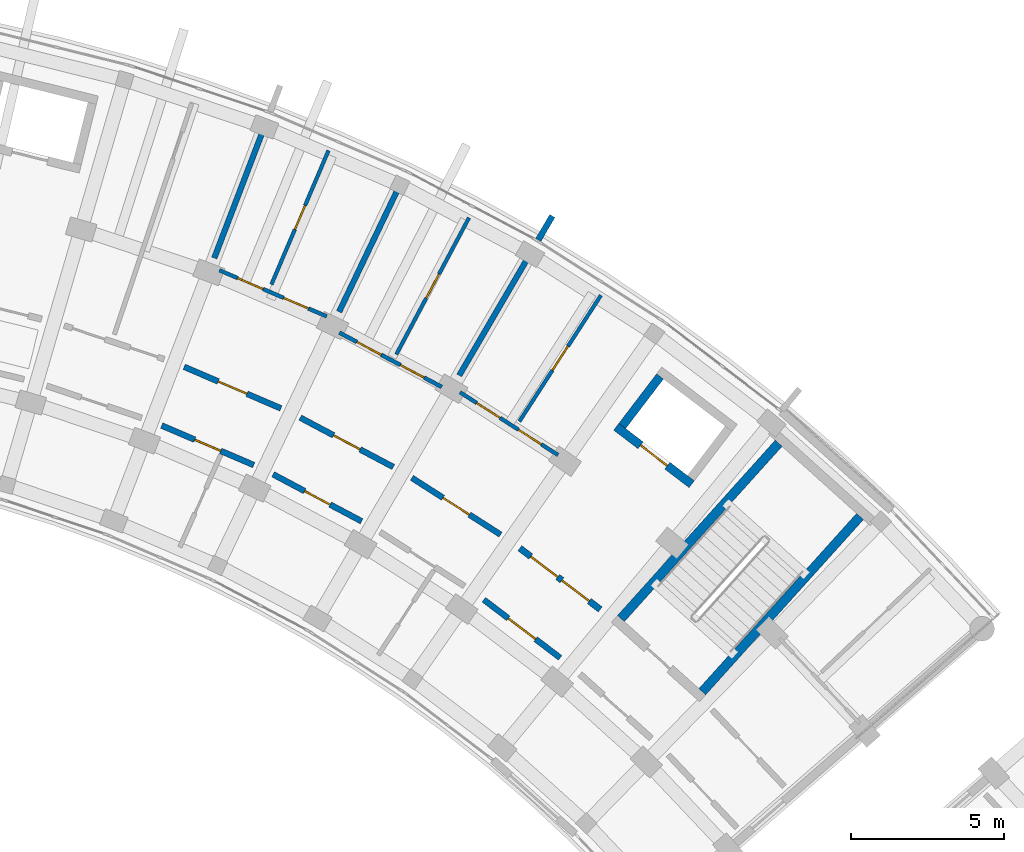
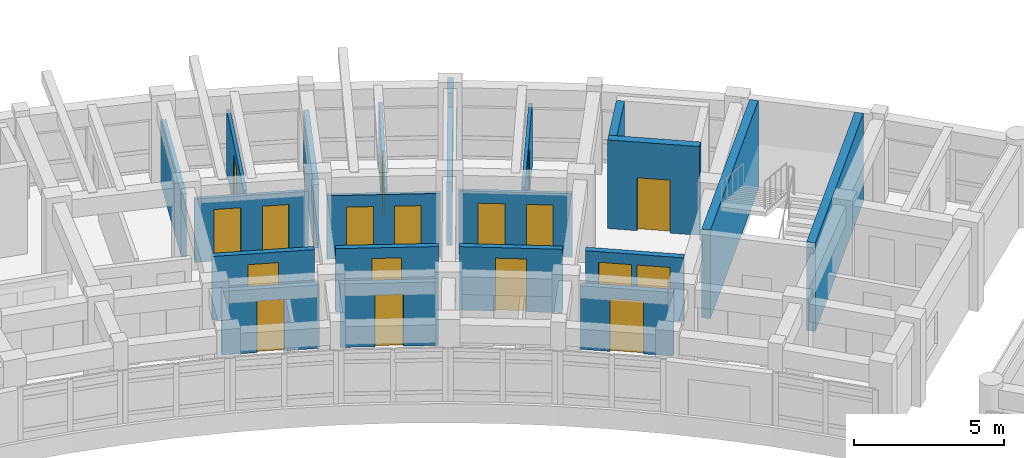
# One storey, part 64 of 83: 21 walls, 18 doors, 18 openings.
"""IFC4 building model written with IfcOpenShell, lengths in metres."""

from ifc_helpers import new_model, si_unit, direction, frame, frame_2d, origin, place, context, subcontext, project, spatial, rectangle, extrude, material, layer, layer_set, type_object, element, fill, save


model = new_model("IFC4")

# Units and contexts
model_context = context("Model", 3, precision=1e-05, world=origin(), true_north=direction((0.0, 1.0)))
body_context = subcontext(model_context, "Body", "Model", "MODEL_VIEW")
ifc_project = project(units=[si_unit("LENGTHUNIT", "METRE"), si_unit("AREAUNIT", "SQUARE_METRE"), si_unit("VOLUMEUNIT", "CUBIC_METRE"), si_unit("PLANEANGLEUNIT", "RADIAN"), si_unit("MASSUNIT", "GRAM", prefix="KILO")], contexts=[model_context])

# Site, building, storey
site_placement = place(None, origin())
site = spatial("IfcSite", under=ifc_project, at=site_placement, CompositionType="ELEMENT")
building_placement = place(site_placement, origin())
building = spatial("IfcBuilding", under=site, at=building_placement, Name="Zimvara Arc Housing Community", CompositionType="ELEMENT")
storey_placement = place(building_placement, frame((0.0, 0.0, 4.5)))
storey = spatial("IfcBuildingStorey", under=building, at=storey_placement, Name="L01", CompositionType="ELEMENT", Elevation=4.5)

# Wall
ifc_material_1 = material(Name="Board-Marked Fair-Faced Concrete C35/45", Category="concrete")
ifc_layer_1 = layer(ifc_material_1, 0.195068359375)
ifc_layer_set_1 = layer_set([ifc_layer_1], Name="Board-Marked Fair-Faced Concrete C35/45")
wall_type_1 = type_object("IfcWallType", Name="EWL-PARA-195", PredefinedType="PARAPET", material=ifc_layer_set_1)
wall_1_placement = place(storey_placement, frame((74.961181640625, 95.8134765625, 0.0), z_axis=(0.0, 0.0, 1.0), x_axis=(0.504326383773, 0.863513114336, 0.0)))
element("IfcWall", 1, at=wall_1_placement, inside=storey, type_object=wall_type_1, Name="finwall:blkB:L01:out:b6", PredefinedType="PARAPET", context=body_context, shape_type="SweptSolid", body=[
    extrude(rectangle(XDim=0.89990234375, YDim=0.195068359375, at=frame_2d((0.449951171875, 0.0))), origin(), (0.0, 0.0, 1.0), 2.60009765625),
])

# Wall, openings, doors
ifc_material_2 = material(Name="Concrete C35/45", Category="concrete")
ifc_layer_2 = layer(ifc_material_2, 0.2099609375)
ifc_layer_set_2 = layer_set([ifc_layer_2], Name="Concrete C35/45")
wall_type_2 = type_object("IfcWallType", Name="IWL-CCF-210", PredefinedType="SOLIDWALL", material=ifc_layer_set_2)
wall_2_placement = place(storey_placement, frame((74.356689453125, 85.755859375, 0.0), z_axis=(0.0, 0.0, 1.0), x_axis=(0.795498026433, -0.605956178235, 0.0)))
wall_2 = element("IfcWall", 2, at=wall_2_placement, inside=storey, type_object=wall_type_2, Name="iwall:blkB:L01:ll_div:b7", PredefinedType="SOLIDWALL", context=body_context, shape_type="SweptSolid", body=[
    extrude(rectangle(XDim=3.296142578125, YDim=0.2099609375, at=frame_2d((1.64794921875, 0.0))), origin(), (0.0, 0.0, 1.0), 2.580078125),
])
opening_1_placement = place(wall_2_placement, frame((0.449951171875, 0.0, 0.0)))
opening_1 = element("IfcOpeningElement", 3, at=opening_1_placement, cuts=wall_2, Name="Opening FD-CCF1", PredefinedType="OPENING", context=body_context, shape_type="SweptSolid", body=[
    extrude(rectangle(XDim=1.10009765625, YDim=2.14990234375, at=frame_2d((0.550048828125, 1.074951171875))), frame((0.0, 0.114990234375, 0.0), z_axis=(0.0, -1.0, 0.0), x_axis=(1.0, 0.0, 0.0)), (0.0, 0.0, 1.0), 0.22998046875),
])
opening_2_placement = place(wall_2_placement, frame((1.72607421875, 0.0, 0.0)))
opening_2 = element("IfcOpeningElement", 4, at=opening_2_placement, cuts=wall_2, Name="Opening D07", PredefinedType="OPENING", context=body_context, shape_type="SweptSolid", body=[
    extrude(rectangle(XDim=1.1201171875, YDim=2.14990234375, at=frame_2d((0.56005859375, 1.074951171875))), frame((0.0, 0.114990234375, 0.0), z_axis=(0.0, -1.0, 0.0), x_axis=(1.0, 0.0, 0.0)), (0.0, 0.0, 1.0), 0.22998046875),
])
ifc_material_3 = material(Name="Mozambican Hardwood", Category="wood")
door_type_1 = type_object("IfcDoorType", Name="IDR-AMN-1120x2150", OperationType="NOTDEFINED", PredefinedType="DOOR", material=ifc_material_3)
door_1_placement = place(opening_2_placement, origin())
door_1 = element("IfcDoor", 5, at=door_1_placement, inside=storey, type_object=door_type_1, Name="idoor:blkB:L01:rs_in:b7", OperationType="SINGLE_SWING_LEFT", OverallHeight=2.14990234375, OverallWidth=1.1201171875, PredefinedType="DOOR", context=body_context, shape_type="SweptSolid", body=[
    extrude(rectangle(XDim=1.1201171875, YDim=2.14990234375, at=frame_2d((0.56005859375, 1.074951171875))), frame((0.0, 0.02490234375, 0.0), z_axis=(0.0, -1.0, 0.0), x_axis=(1.0, 0.0, 0.0)), (0.0, 0.0, 1.0), 0.050048828125),
])
fill(opening_2, door_1)
ifc_material_4 = material(Name="Anodised Aluminium AW-6063", Category="aluminium")
door_type_2 = type_object("IfcDoorType", Name="IDR-CCF-1100x2150", OperationType="NOTDEFINED", PredefinedType="DOOR", material=ifc_material_4)
door_2_placement = place(opening_1_placement, origin())
door_2 = element("IfcDoor", 6, at=door_2_placement, inside=storey, type_object=door_type_2, Name="idoor:blkB:L01:ll_in:b7", OperationType="SINGLE_SWING_RIGHT", OverallHeight=2.14990234375, OverallWidth=1.10009765625, PredefinedType="DOOR", context=body_context, shape_type="SweptSolid", body=[
    extrude(rectangle(XDim=1.10009765625, YDim=2.14990234375, at=frame_2d((0.550048828125, 1.074951171875))), frame((0.0, 0.02490234375, 0.0), z_axis=(0.0, -1.0, 0.0), x_axis=(1.0, 0.0, 0.0)), (0.0, 0.0, 1.0), 0.050048828125),
])
fill(opening_1, door_2)

# Wall, opening, door
ifc_material_5 = material(Name="Concrete C35/45", Category="concrete")
ifc_layer_3 = layer(ifc_material_5, 0.18994140625)
ifc_layer_set_3 = layer_set([ifc_layer_3], Name="Concrete C35/45")
wall_type_3 = type_object("IfcWallType", Name="IWL-CORR-190", PredefinedType="SOLIDWALL", material=ifc_layer_set_3)
wall_3_placement = place(storey_placement, frame((63.40673828125, 91.6728515625, 0.0), z_axis=(0.0, 0.0, 1.0), x_axis=(0.918718172399, -0.394913813008, 0.0)))
wall_3 = element("IfcWall", 7, at=wall_3_placement, inside=storey, type_object=wall_type_3, Name="iwall:blkB:L01:corr_out:b4", PredefinedType="SOLIDWALL", context=body_context, shape_type="SweptSolid", body=[
    extrude(rectangle(XDim=3.43603515625, YDim=0.18994140625, at=frame_2d((1.718017578125, 0.0))), origin(), (0.0, 0.0, 1.0), 2.580078125),
])
opening_3_placement = place(wall_3_placement, frame((1.2080078125, 0.0, 0.0)))
opening_3 = element("IfcOpeningElement", 8, at=opening_3_placement, cuts=wall_3, Name="Opening FD-FL2", PredefinedType="OPENING", context=body_context, shape_type="SweptSolid", body=[
    extrude(rectangle(XDim=1.02001953125, YDim=2.14990234375, at=frame_2d((0.510009765625, 1.074951171875))), frame((0.0, 0.10498046875, 0.0), z_axis=(0.0, -1.0, 0.0), x_axis=(1.0, 0.0, 0.0)), (0.0, 0.0, 1.0), 0.2099609375),
])
ifc_material_6 = material(Name="Mozambican Hardwood", Category="wood")
door_type_3 = type_object("IfcDoorType", Name="IDR-FLAT-1020x2150", OperationType="NOTDEFINED", PredefinedType="DOOR", material=ifc_material_6)
door_3_placement = place(opening_3_placement, origin())
door_3 = element("IfcDoor", 9, at=door_3_placement, inside=storey, type_object=door_type_3, Name="idoor:blkB:L01:flat:b4", OperationType="SINGLE_SWING_LEFT", OverallHeight=2.14990234375, OverallWidth=1.02001953125, PredefinedType="DOOR", context=body_context, shape_type="SweptSolid", body=[
    extrude(rectangle(XDim=1.02001953125, YDim=2.14990234375, at=frame_2d((0.510009765625, 1.074951171875))), frame((0.0, 0.02490234375, 0.0), z_axis=(0.0, -1.0, 0.0), x_axis=(1.0, 0.0, 0.0)), (0.0, 0.0, 1.0), 0.050048828125),
])
fill(opening_3, door_3)

wall_4_placement = place(storey_placement, frame((62.6748046875, 89.758056640625, 0.0), z_axis=(0.0, 0.0, 1.0), x_axis=(0.918723391052, -0.394901672235, 0.0)))
wall_4 = element("IfcWall", 10, at=wall_4_placement, inside=storey, type_object=wall_type_3, Name="iwall:blkB:L01:corr_in:b4", PredefinedType="SOLIDWALL", context=body_context, shape_type="SweptSolid", body=[
    extrude(rectangle(XDim=3.2685546875, YDim=0.18994140625, at=frame_2d((1.63427734375, 0.0))), origin(), (0.0, 0.0, 1.0), 2.580078125),
])
opening_4_placement = place(wall_4_placement, frame((1.17431640625, 0.0, 0.0)))
opening_4 = element("IfcOpeningElement", 11, at=opening_4_placement, cuts=wall_4, Name="Opening D02", PredefinedType="OPENING", context=body_context, shape_type="SweptSolid", body=[
    extrude(rectangle(XDim=0.919921875, YDim=2.10009765625, at=frame_2d((0.4599609375, 1.050048828125))), frame((0.0, 0.10498046875, 0.0), z_axis=(0.0, -1.0, 0.0), x_axis=(1.0, 0.0, 0.0)), (0.0, 0.0, 1.0), 0.2099609375),
])
ifc_material_7 = material(Name="Mozambican Hardwood", Category="wood")
door_type_4 = type_object("IfcDoorType", Name="IDR-RM-0920x2100", OperationType="NOTDEFINED", PredefinedType="DOOR", material=ifc_material_7)
door_4_placement = place(opening_4_placement, origin())
door_4 = element("IfcDoor", 12, at=door_4_placement, inside=storey, type_object=door_type_4, Name="idoor:blkB:L01:in_rm:b4", OperationType="SINGLE_SWING_RIGHT", OverallHeight=2.10009765625, OverallWidth=0.919921875, PredefinedType="DOOR", context=body_context, shape_type="SweptSolid", body=[
    extrude(rectangle(XDim=0.919921875, YDim=2.10009765625, at=frame_2d((0.4599609375, 1.050048828125))), frame((0.0, 0.02490234375, 0.0), z_axis=(0.0, -1.0, 0.0), x_axis=(1.0, 0.0, 0.0)), (0.0, 0.0, 1.0), 0.050048828125),
])
fill(opening_4, door_4)

wall_5_placement = place(storey_placement, frame((67.1943359375, 90.013916015625, 0.0), z_axis=(0.0, 0.0, 1.0), x_axis=(0.883410853063, -0.468599258099, 0.0)))
wall_5 = element("IfcWall", 13, at=wall_5_placement, inside=storey, type_object=wall_type_3, Name="iwall:blkB:L01:corr_out:b5", PredefinedType="SOLIDWALL", context=body_context, shape_type="SweptSolid", body=[
    extrude(rectangle(XDim=3.43603515625, YDim=0.18994140625, at=frame_2d((1.718017578125, 0.0))), origin(), (0.0, 0.0, 1.0), 2.580078125),
])
opening_5_placement = place(wall_5_placement, frame((1.22802734375, 0.0, 0.0)))
opening_5 = element("IfcOpeningElement", 14, at=opening_5_placement, cuts=wall_5, Name="Opening FD-FL1", PredefinedType="OPENING", context=body_context, shape_type="SweptSolid", body=[
    extrude(rectangle(XDim=0.97998046875, YDim=2.14990234375, at=frame_2d((0.489990234375, 1.074951171875))), frame((0.0, 0.10498046875, 0.0), z_axis=(0.0, -1.0, 0.0), x_axis=(1.0, 0.0, 0.0)), (0.0, 0.0, 1.0), 0.2099609375),
])
ifc_material_8 = material(Name="Mozambican Hardwood", Category="wood")
door_type_5 = type_object("IfcDoorType", Name="IDR-FLAT-0980x2150", OperationType="NOTDEFINED", PredefinedType="DOOR", material=ifc_material_8)
door_5_placement = place(opening_5_placement, origin())
door_5 = element("IfcDoor", 15, at=door_5_placement, inside=storey, type_object=door_type_5, Name="idoor:blkB:L01:flat:b5", OperationType="SINGLE_SWING_LEFT", OverallHeight=2.14990234375, OverallWidth=0.97998046875, PredefinedType="DOOR", context=body_context, shape_type="SweptSolid", body=[
    extrude(rectangle(XDim=0.97998046875, YDim=2.14990234375, at=frame_2d((0.489990234375, 1.074951171875))), frame((0.0, 0.02490234375, 0.0), z_axis=(0.0, -1.0, 0.0), x_axis=(1.0, 0.0, 0.0)), (0.0, 0.0, 1.0), 0.050048828125),
])
fill(opening_5, door_5)

wall_6_placement = place(storey_placement, frame((66.30859375, 88.1650390625, 0.0), z_axis=(0.0, 0.0, 1.0), x_axis=(0.883444301944, -0.468536194293, 0.0)))
wall_6 = element("IfcWall", 16, at=wall_6_placement, inside=storey, type_object=wall_type_3, Name="iwall:blkB:L01:corr_in:b5", PredefinedType="SOLIDWALL", context=body_context, shape_type="SweptSolid", body=[
    extrude(rectangle(XDim=3.268798828125, YDim=0.18994140625, at=frame_2d((1.63427734375, 0.0))), origin(), (0.0, 0.0, 1.0), 2.580078125),
])
opening_6_placement = place(wall_6_placement, frame((1.164306640625, 0.0, 0.0)))
opening_6 = element("IfcOpeningElement", 17, at=opening_6_placement, cuts=wall_6, Name="Opening D03", PredefinedType="OPENING", context=body_context, shape_type="SweptSolid", body=[
    extrude(rectangle(XDim=0.93994140625, YDim=2.10009765625, at=frame_2d((0.469970703125, 1.050048828125))), frame((0.0, 0.10498046875, 0.0), z_axis=(0.0, -1.0, 0.0), x_axis=(1.0, 0.0, 0.0)), (0.0, 0.0, 1.0), 0.2099609375),
])
ifc_material_9 = material(Name="Mozambican Hardwood", Category="wood")
door_type_6 = type_object("IfcDoorType", Name="IDR-RM-0940x2100", OperationType="NOTDEFINED", PredefinedType="DOOR", material=ifc_material_9)
door_6_placement = place(opening_6_placement, origin())
door_6 = element("IfcDoor", 18, at=door_6_placement, inside=storey, type_object=door_type_6, Name="idoor:blkB:L01:in_rm:b5", OperationType="SINGLE_SWING_RIGHT", OverallHeight=2.10009765625, OverallWidth=0.93994140625, PredefinedType="DOOR", context=body_context, shape_type="SweptSolid", body=[
    extrude(rectangle(XDim=0.93994140625, YDim=2.10009765625, at=frame_2d((0.469970703125, 1.050048828125))), frame((0.0, 0.02490234375, 0.0), z_axis=(0.0, -1.0, 0.0), x_axis=(1.0, 0.0, 0.0)), (0.0, 0.0, 1.0), 0.050048828125),
])
fill(opening_6, door_6)

wall_7_placement = place(storey_placement, frame((70.833740234375, 88.05126953125, 0.0), z_axis=(0.0, 0.0, 1.0), x_axis=(0.842257205985, -0.539075874963, 0.0)))
wall_7 = element("IfcWall", 19, at=wall_7_placement, inside=storey, type_object=wall_type_3, Name="iwall:blkB:L01:corr_out:b6", PredefinedType="SOLIDWALL", context=body_context, shape_type="SweptSolid", body=[
    extrude(rectangle(XDim=3.43603515625, YDim=0.18994140625, at=frame_2d((1.718017578125, 0.0))), origin(), (0.0, 0.0, 1.0), 2.580078125),
])
opening_7_placement = place(wall_7_placement, frame((1.2080078125, 0.0, 0.0)))
opening_7 = element("IfcOpeningElement", 20, at=opening_7_placement, cuts=wall_7, Name="Opening FD-FL2", PredefinedType="OPENING", context=body_context, shape_type="SweptSolid", body=[
    extrude(rectangle(XDim=1.02001953125, YDim=2.14990234375, at=frame_2d((0.510009765625, 1.074951171875))), frame((0.0, 0.10498046875, 0.0), z_axis=(0.0, -1.0, 0.0), x_axis=(1.0, 0.0, 0.0)), (0.0, 0.0, 1.0), 0.2099609375),
])
door_7_placement = place(opening_7_placement, origin())
door_7 = element("IfcDoor", 21, at=door_7_placement, inside=storey, type_object=door_type_3, Name="idoor:blkB:L01:flat:b6", OperationType="SINGLE_SWING_RIGHT", OverallHeight=2.14990234375, OverallWidth=1.02001953125, PredefinedType="DOOR", context=body_context, shape_type="SweptSolid", body=[
    extrude(rectangle(XDim=1.02001953125, YDim=2.14990234375, at=frame_2d((0.510009765625, 1.074951171875))), frame((0.0, 0.02490234375, 0.0), z_axis=(0.0, -1.0, 0.0), x_axis=(1.0, 0.0, 0.0)), (0.0, 0.0, 1.0), 0.050048828125),
])
fill(opening_7, door_7)

wall_8_placement = place(storey_placement, frame((73.18212890625, 84.07568359375, 0.0), z_axis=(0.0, 0.0, 1.0), x_axis=(0.795501577908, -0.605951515838, 0.0)))
wall_8 = element("IfcWall", 22, at=wall_8_placement, inside=storey, type_object=wall_type_3, Name="iwall:blkB:L01:ra_div:b7", PredefinedType="SOLIDWALL", context=body_context, shape_type="SweptSolid", body=[
    extrude(rectangle(XDim=3.128662109375, YDim=0.18994140625, at=frame_2d((1.564453125, 0.0))), origin(), (0.0, 0.0, 1.0), 2.580078125),
])
opening_8_placement = place(wall_8_placement, frame((1.00439453125, 0.0, 0.0)))
opening_8 = element("IfcOpeningElement", 23, at=opening_8_placement, cuts=wall_8, Name="Opening D07", PredefinedType="OPENING", context=body_context, shape_type="SweptSolid", body=[
    extrude(rectangle(XDim=1.1201171875, YDim=2.14990234375, at=frame_2d((0.56005859375, 1.074951171875))), frame((0.0, 0.10498046875, 0.0), z_axis=(0.0, -1.0, 0.0), x_axis=(1.0, 0.0, 0.0)), (0.0, 0.0, 1.0), 0.2099609375),
])
door_8_placement = place(opening_8_placement, origin())
door_8 = element("IfcDoor", 24, at=door_8_placement, inside=storey, type_object=door_type_1, Name="idoor:blkB:L01:ra_d:b7", OperationType="SINGLE_SWING_RIGHT", OverallHeight=2.14990234375, OverallWidth=1.1201171875, PredefinedType="DOOR", context=body_context, shape_type="SweptSolid", body=[
    extrude(rectangle(XDim=1.1201171875, YDim=2.14990234375, at=frame_2d((0.56005859375, 1.074951171875))), frame((0.0, 0.02490234375, 0.0), z_axis=(0.0, -1.0, 0.0), x_axis=(1.0, 0.0, 0.0)), (0.0, 0.0, 1.0), 0.050048828125),
])
fill(opening_8, door_8)

# Walls
ifc_material_10 = material(Name="Concrete C35/45", Category="concrete")
ifc_layer_4 = layer(ifc_material_10, 0.18505859375)
ifc_layer_set_4 = layer_set([ifc_layer_4], Name="Concrete C35/45")
wall_type_4 = type_object("IfcWallType", Name="IWL-FLAT-185", PredefinedType="SOLIDWALL", material=ifc_layer_set_4)
for number, where, z_axis, x_axis, name in (
    (25, (64.388671875, 95.220458984375, 0.0), (0.0, 0.0, 1.0), (0.357064016205, 0.934079915388, 0.0), "iwall:blkB:L01:party:b4"),
    (26, (68.462158203125, 93.469482421875, 0.0), (0.0, 0.0, 1.0), (0.432086898897, 0.901831975371, 0.0), "iwall:blkB:L01:party:b5"),
    (27, (72.37939453125, 91.391845703125, 0.0), (0.0, 0.0, 1.0), (0.504216452091, 0.863577309475, 0.0), "iwall:blkB:L01:party:b6"),
):
    element("IfcWall", number, at=place(storey_placement, frame(where, z_axis=z_axis, x_axis=x_axis)), inside=storey, type_object=wall_type_4, Name=name, PredefinedType="SOLIDWALL", context=body_context, shape_type="SweptSolid", body=[
        extrude(rectangle(XDim=4.35009765625, YDim=0.18505859375, at=frame_2d((2.175048828125, 0.0))), origin(), (0.0, 0.0, 1.0), 2.580078125),
    ])

# Wall, opening, door
ifc_material_11 = material(Name="Painted Acoustic Plasterboard")
ifc_layer_5 = layer(ifc_material_11, 0.1201171875)
ifc_layer_set_5 = layer_set([ifc_layer_5], Name="Painted Acoustic Plasterboard")
wall_type_5 = type_object("IfcWallType", Name="IWL-PART-120", PredefinedType="PARTITIONING", material=ifc_layer_set_5)
wall_9_placement = place(storey_placement, frame((66.25341796875, 94.359130859375, 0.0), z_axis=(0.0, 0.0, 1.0), x_axis=(0.392156908456, 0.919898341748, 0.0)))
wall_9 = element("IfcWall", 28, at=wall_9_placement, inside=storey, type_object=wall_type_5, Name="iwall:blkB:L01:bed_div:b4", PredefinedType="PARTITIONING", context=body_context, shape_type="SweptSolid", body=[
    extrude(rectangle(XDim=4.75, YDim=0.1201171875, at=frame_2d((2.375, 0.0))), origin(), (0.0, 0.0, 1.0), 2.580078125),
])
opening_9_placement = place(wall_9_placement, frame((1.949951171875, 0.0, 0.0)))
opening_9 = element("IfcOpeningElement", 29, at=opening_9_placement, cuts=wall_9, Name="Opening D11", PredefinedType="OPENING", context=body_context, shape_type="SweptSolid", body=[
    extrude(rectangle(XDim=0.85009765625, YDim=2.10009765625, at=frame_2d((0.425048828125, 1.050048828125))), frame((0.0, 0.070068359375, 0.0), z_axis=(0.0, -1.0, 0.0), x_axis=(1.0, 0.0, 0.0)), (0.0, 0.0, 1.0), 0.14013671875),
])
ifc_material_12 = material(Name="Mozambican Hardwood", Category="wood")
door_type_7 = type_object("IfcDoorType", Name="IDR-MOD-850x2060", OperationType="NOTDEFINED", PredefinedType="DOOR", material=ifc_material_12)
door_9_placement = place(opening_9_placement, origin())
door_9 = element("IfcDoor", 30, at=door_9_placement, inside=storey, type_object=door_type_7, Name="idoor:blkB:L01:bed_d:b4", OperationType="SINGLE_SWING_RIGHT", OverallHeight=2.10009765625, OverallWidth=0.85009765625, PredefinedType="DOOR", context=body_context, shape_type="SweptSolid", body=[
    extrude(rectangle(XDim=0.85009765625, YDim=2.10009765625, at=frame_2d((0.425048828125, 1.050048828125))), frame((0.0, 0.02490234375, 0.0), z_axis=(0.0, -1.0, 0.0), x_axis=(1.0, 0.0, 0.0)), (0.0, 0.0, 1.0), 0.050048828125),
])
fill(opening_9, door_9)

wall_10_placement = place(storey_placement, frame((70.326416015625, 92.0791015625, 0.0), z_axis=(0.0, 0.0, 1.0), x_axis=(0.469847866249, 0.882747405876, 0.0)))
wall_10 = element("IfcWall", 31, at=wall_10_placement, inside=storey, type_object=wall_type_5, Name="iwall:blkB:L01:bed_div:b5", PredefinedType="PARTITIONING", context=body_context, shape_type="SweptSolid", body=[
    extrude(rectangle(XDim=5.050048828125, YDim=0.1201171875, at=frame_2d((2.52490234375, 0.0))), origin(), (0.0, 0.0, 1.0), 2.580078125),
])
opening_10_placement = place(wall_10_placement, frame((2.080078125, 0.0, 0.0)))
opening_10 = element("IfcOpeningElement", 32, at=opening_10_placement, cuts=wall_10, Name="Opening D12", PredefinedType="OPENING", context=body_context, shape_type="SweptSolid", body=[
    extrude(rectangle(XDim=0.889892578125, YDim=2.10009765625, at=frame_2d((0.44482421875, 1.050048828125))), frame((0.0, 0.070068359375, 0.0), z_axis=(0.0, -1.0, 0.0), x_axis=(1.0, 0.0, 0.0)), (0.0, 0.0, 1.0), 0.14013671875),
])
ifc_material_13 = material(Name="Mozambican Hardwood", Category="wood")
door_type_8 = type_object("IfcDoorType", Name="IDR-MOD-890x2140", OperationType="NOTDEFINED", PredefinedType="DOOR", material=ifc_material_13)
door_10_placement = place(opening_10_placement, origin())
door_10 = element("IfcDoor", 33, at=door_10_placement, inside=storey, type_object=door_type_8, Name="idoor:blkB:L01:bed_d:b5", OperationType="SINGLE_SWING_LEFT", OverallHeight=2.10009765625, OverallWidth=0.889892578125, PredefinedType="DOOR", context=body_context, shape_type="SweptSolid", body=[
    extrude(rectangle(XDim=0.889892578125, YDim=2.10009765625, at=frame_2d((0.44482421875, 1.050048828125))), frame((0.0, 0.02490234375, 0.0), z_axis=(0.0, -1.0, 0.0), x_axis=(1.0, 0.0, 0.0)), (0.0, 0.0, 1.0), 0.050048828125),
])
fill(opening_10, door_10)

wall_11_placement = place(storey_placement, frame((74.342041015625, 89.89208984375, 0.0), z_axis=(0.0, 0.0, 1.0), x_axis=(0.542871109654, 0.839816026462, 0.0)))
wall_11 = element("IfcWall", 34, at=wall_11_placement, inside=storey, type_object=wall_type_5, Name="iwall:blkB:L01:bed_div:b6", PredefinedType="PARTITIONING", context=body_context, shape_type="SweptSolid", body=[
    extrude(rectangle(XDim=4.900146484375, YDim=0.1201171875, at=frame_2d((2.4501953125, 0.0))), origin(), (0.0, 0.0, 1.0), 2.580078125),
])
opening_11_placement = place(wall_11_placement, frame((1.985107421875, 0.0, 0.0)))
opening_11 = element("IfcOpeningElement", 35, at=opening_11_placement, cuts=wall_11, Name="Opening D13", PredefinedType="OPENING", context=body_context, shape_type="SweptSolid", body=[
    extrude(rectangle(XDim=0.929931640625, YDim=2.10009765625, at=frame_2d((0.46484375, 1.050048828125))), frame((0.0, 0.070068359375, 0.0), z_axis=(0.0, -1.0, 0.0), x_axis=(1.0, 0.0, 0.0)), (0.0, 0.0, 1.0), 0.14013671875),
])
ifc_material_14 = material(Name="Mozambican Hardwood", Category="wood")
door_type_9 = type_object("IfcDoorType", Name="IDR-MOD-930x2180", OperationType="NOTDEFINED", PredefinedType="DOOR", material=ifc_material_14)
door_11_placement = place(opening_11_placement, origin())
door_11 = element("IfcDoor", 36, at=door_11_placement, inside=storey, type_object=door_type_9, Name="idoor:blkB:L01:bed_d:b6", OperationType="SINGLE_SWING_LEFT", OverallHeight=2.10009765625, OverallWidth=0.929931640625, PredefinedType="DOOR", context=body_context, shape_type="SweptSolid", body=[
    extrude(rectangle(XDim=0.929931640625, YDim=2.10009765625, at=frame_2d((0.46484375, 1.050048828125))), frame((0.0, 0.02490234375, 0.0), z_axis=(0.0, -1.0, 0.0), x_axis=(1.0, 0.0, 0.0)), (0.0, 0.0, 1.0), 0.050048828125),
])
fill(opening_11, door_11)

# Wall, openings, doors
ifc_material_15 = material(Name="Painted Acoustic Plasterboard")
ifc_layer_6 = layer(ifc_material_15, 0.125)
ifc_layer_set_6 = layer_set([ifc_layer_6], Name="Painted Acoustic Plasterboard")
wall_type_6 = type_object("IfcWallType", Name="IWL-PART-125", PredefinedType="PARTITIONING", material=ifc_layer_set_6)
wall_12_placement = place(storey_placement, frame((64.55712890625, 94.82177734375, 0.0), z_axis=(0.0, 0.0, 1.0), x_axis=(0.918726854017, -0.394893615684, 0.0)))
wall_12 = element("IfcWall", 37, at=wall_12_placement, inside=storey, type_object=wall_type_6, Name="iwall:blkB:L01:srv:b4", PredefinedType="PARTITIONING", context=body_context, shape_type="SweptSolid", body=[
    extrude(rectangle(XDim=3.8095703125, YDim=0.125, at=frame_2d((1.90478515625, 0.0))), origin(), (0.0, 0.0, 1.0), 2.580078125),
])
opening_12_placement = place(wall_12_placement, frame((0.64990234375, 0.0, 0.0)))
opening_12 = element("IfcOpeningElement", 38, at=opening_12_placement, cuts=wall_12, Name="Opening D01", PredefinedType="OPENING", context=body_context, shape_type="SweptSolid", body=[
    extrude(rectangle(XDim=0.89990234375, YDim=2.10009765625, at=frame_2d((0.449951171875, 1.050048828125))), frame((0.0, 0.072509765625, 0.0), z_axis=(0.0, -1.0, 0.0), x_axis=(1.0, 0.0, 0.0)), (0.0, 0.0, 1.0), 0.14501953125),
])
opening_13_placement = place(wall_12_placement, frame((2.279541015625, 0.0, 0.0)))
opening_13 = element("IfcOpeningElement", 39, at=opening_13_placement, cuts=wall_12, Name="Opening D05", PredefinedType="OPENING", context=body_context, shape_type="SweptSolid", body=[
    extrude(rectangle(XDim=0.8798828125, YDim=2.10009765625, at=frame_2d((0.43994140625, 1.050048828125))), frame((0.0, 0.072509765625, 0.0), z_axis=(0.0, -1.0, 0.0), x_axis=(1.0, 0.0, 0.0)), (0.0, 0.0, 1.0), 0.14501953125),
])
ifc_material_16 = material(Name="Mozambican Hardwood", Category="wood")
door_type_10 = type_object("IfcDoorType", Name="IDR-RM-0900x2100", OperationType="NOTDEFINED", PredefinedType="DOOR", material=ifc_material_16)
door_12_placement = place(opening_12_placement, origin())
door_12 = element("IfcDoor", 40, at=door_12_placement, inside=storey, type_object=door_type_10, Name="idoor:blkB:L01:kit_liv:b4", OperationType="SINGLE_SWING_RIGHT", OverallHeight=2.10009765625, OverallWidth=0.89990234375, PredefinedType="DOOR", context=body_context, shape_type="SweptSolid", body=[
    extrude(rectangle(XDim=0.89990234375, YDim=2.10009765625, at=frame_2d((0.449951171875, 1.050048828125))), frame((0.0, 0.02490234375, 0.0), z_axis=(0.0, -1.0, 0.0), x_axis=(1.0, 0.0, 0.0)), (0.0, 0.0, 1.0), 0.050048828125),
])
fill(opening_12, door_12)
ifc_material_17 = material(Name="Mozambican Hardwood", Category="wood")
door_type_11 = type_object("IfcDoorType", Name="IDR-WC-0880x2100", OperationType="NOTDEFINED", PredefinedType="DOOR", material=ifc_material_17)
door_13_placement = place(opening_13_placement, origin())
door_13 = element("IfcDoor", 41, at=door_13_placement, inside=storey, type_object=door_type_11, Name="idoor:blkB:L01:bath_d:b4", OperationType="SINGLE_SWING_LEFT", OverallHeight=2.10009765625, OverallWidth=0.8798828125, PredefinedType="DOOR", context=body_context, shape_type="SweptSolid", body=[
    extrude(rectangle(XDim=0.8798828125, YDim=2.10009765625, at=frame_2d((0.43994140625, 1.050048828125))), frame((0.0, 0.02490234375, 0.0), z_axis=(0.0, -1.0, 0.0), x_axis=(1.0, 0.0, 0.0)), (0.0, 0.0, 1.0), 0.050048828125),
])
fill(opening_13, door_13)

wall_13_placement = place(storey_placement, frame((72.4052734375, 90.841552734375, 0.0), z_axis=(0.0, 0.0, 1.0), x_axis=(0.842271400662, -0.539053696423, 0.0)))
wall_13 = element("IfcWall", 42, at=wall_13_placement, inside=storey, type_object=wall_type_6, Name="iwall:blkB:L01:srv:b6", PredefinedType="PARTITIONING", context=body_context, shape_type="SweptSolid", body=[
    extrude(rectangle(XDim=3.797119140625, YDim=0.125, at=frame_2d((1.8984375, 0.0))), origin(), (0.0, 0.0, 1.0), 2.580078125),
])
opening_14_placement = place(wall_13_placement, frame((0.64990234375, 0.0, 0.0)))
opening_14 = element("IfcOpeningElement", 43, at=opening_14_placement, cuts=wall_13, Name="Opening D01", PredefinedType="OPENING", context=body_context, shape_type="SweptSolid", body=[
    extrude(rectangle(XDim=0.89990234375, YDim=2.10009765625, at=frame_2d((0.449951171875, 1.050048828125))), frame((0.0, 0.072509765625, 0.0), z_axis=(0.0, -1.0, 0.0), x_axis=(1.0, 0.0, 0.0)), (0.0, 0.0, 1.0), 0.14501953125),
])
opening_15_placement = place(wall_13_placement, frame((2.267333984375, 0.0, 0.0)))
opening_15 = element("IfcOpeningElement", 44, at=opening_15_placement, cuts=wall_13, Name="Opening D05", PredefinedType="OPENING", context=body_context, shape_type="SweptSolid", body=[
    extrude(rectangle(XDim=0.8798828125, YDim=2.10009765625, at=frame_2d((0.43994140625, 1.050048828125))), frame((0.0, 0.072509765625, 0.0), z_axis=(0.0, -1.0, 0.0), x_axis=(1.0, 0.0, 0.0)), (0.0, 0.0, 1.0), 0.14501953125),
])
door_14_placement = place(opening_14_placement, origin())
door_14 = element("IfcDoor", 45, at=door_14_placement, inside=storey, type_object=door_type_10, Name="idoor:blkB:L01:kit_liv:b6", OperationType="SINGLE_SWING_LEFT", OverallHeight=2.10009765625, OverallWidth=0.89990234375, PredefinedType="DOOR", context=body_context, shape_type="SweptSolid", body=[
    extrude(rectangle(XDim=0.89990234375, YDim=2.10009765625, at=frame_2d((0.449951171875, 1.050048828125))), frame((0.0, 0.02490234375, 0.0), z_axis=(0.0, -1.0, 0.0), x_axis=(1.0, 0.0, 0.0)), (0.0, 0.0, 1.0), 0.050048828125),
])
fill(opening_14, door_14)
door_15_placement = place(opening_15_placement, origin())
door_15 = element("IfcDoor", 46, at=door_15_placement, inside=storey, type_object=door_type_11, Name="idoor:blkB:L01:bath_d:b6", OperationType="SINGLE_SWING_RIGHT", OverallHeight=2.10009765625, OverallWidth=0.8798828125, PredefinedType="DOOR", context=body_context, shape_type="SweptSolid", body=[
    extrude(rectangle(XDim=0.8798828125, YDim=2.10009765625, at=frame_2d((0.43994140625, 1.050048828125))), frame((0.0, 0.02490234375, 0.0), z_axis=(0.0, -1.0, 0.0), x_axis=(1.0, 0.0, 0.0)), (0.0, 0.0, 1.0), 0.050048828125),
])
fill(opening_15, door_15)

ifc_material_18 = material(Name="Painted Acoustic Plasterboard")
ifc_layer_7 = layer(ifc_material_18, 0.1298828125)
ifc_layer_set_7 = layer_set([ifc_layer_7], Name="Painted Acoustic Plasterboard")
wall_type_7 = type_object("IfcWallType", Name="IWL-PART-130", PredefinedType="PARTITIONING", material=ifc_layer_set_7)
wall_14_placement = place(storey_placement, frame((68.468017578125, 92.787841796875, 0.0), z_axis=(0.0, 0.0, 1.0), x_axis=(0.883450371448, -0.468524749814, 0.0)))
wall_14 = element("IfcWall", 47, at=wall_14_placement, inside=storey, type_object=wall_type_7, Name="iwall:blkB:L01:srv:b5", PredefinedType="PARTITIONING", context=body_context, shape_type="SweptSolid", body=[
    extrude(rectangle(XDim=3.78515625, YDim=0.1298828125, at=frame_2d((1.892578125, 0.0))), origin(), (0.0, 0.0, 1.0), 2.580078125),
])
opening_16_placement = place(wall_14_placement, frame((0.64990234375, 0.0, 0.0)))
opening_16 = element("IfcOpeningElement", 48, at=opening_16_placement, cuts=wall_14, Name="Opening D01", PredefinedType="OPENING", context=body_context, shape_type="SweptSolid", body=[
    extrude(rectangle(XDim=0.89990234375, YDim=2.10009765625, at=frame_2d((0.449951171875, 1.050048828125))), frame((0.0, 0.074951171875, 0.0), z_axis=(0.0, -1.0, 0.0), x_axis=(1.0, 0.0, 0.0)), (0.0, 0.0, 1.0), 0.14990234375),
])
opening_17_placement = place(wall_14_placement, frame((2.255126953125, 0.0, 0.0)))
opening_17 = element("IfcOpeningElement", 49, at=opening_17_placement, cuts=wall_14, Name="Opening D05", PredefinedType="OPENING", context=body_context, shape_type="SweptSolid", body=[
    extrude(rectangle(XDim=0.8798828125, YDim=2.10009765625, at=frame_2d((0.43994140625, 1.050048828125))), frame((0.0, 0.074951171875, 0.0), z_axis=(0.0, -1.0, 0.0), x_axis=(1.0, 0.0, 0.0)), (0.0, 0.0, 1.0), 0.14990234375),
])
door_16_placement = place(opening_16_placement, origin())
door_16 = element("IfcDoor", 50, at=door_16_placement, inside=storey, type_object=door_type_10, Name="idoor:blkB:L01:kit_liv:b5", OperationType="SINGLE_SWING_LEFT", OverallHeight=2.10009765625, OverallWidth=0.89990234375, PredefinedType="DOOR", context=body_context, shape_type="SweptSolid", body=[
    extrude(rectangle(XDim=0.89990234375, YDim=2.10009765625, at=frame_2d((0.449951171875, 1.050048828125))), frame((0.0, 0.02490234375, 0.0), z_axis=(0.0, -1.0, 0.0), x_axis=(1.0, 0.0, 0.0)), (0.0, 0.0, 1.0), 0.050048828125),
])
fill(opening_16, door_16)
door_17_placement = place(opening_17_placement, origin())
door_17 = element("IfcDoor", 51, at=door_17_placement, inside=storey, type_object=door_type_11, Name="idoor:blkB:L01:bath_d:b5", OperationType="SINGLE_SWING_RIGHT", OverallHeight=2.10009765625, OverallWidth=0.8798828125, PredefinedType="DOOR", context=body_context, shape_type="SweptSolid", body=[
    extrude(rectangle(XDim=0.8798828125, YDim=2.10009765625, at=frame_2d((0.43994140625, 1.050048828125))), frame((0.0, 0.02490234375, 0.0), z_axis=(0.0, -1.0, 0.0), x_axis=(1.0, 0.0, 0.0)), (0.0, 0.0, 1.0), 0.050048828125),
])
fill(opening_17, door_17)

# Wall, opening, door
ifc_material_19 = material(Name="Concrete C40/50", Category="concrete")
ifc_layer_8 = layer(ifc_material_19, 0.280029296875)
ifc_layer_set_8 = layer_set([ifc_layer_8], Name="Concrete C40/50")
wall_type_8 = type_object("IfcWallType", Name="WL-CORE-280", PredefinedType="SHEAR", material=ifc_layer_set_8)
wall_15_placement = place(storey_placement, frame((79.96142578125, 87.84375, 0.0), z_axis=(0.0, 0.0, 1.0), x_axis=(-0.795464365424, 0.606000365793, 0.0)))
wall_15 = element("IfcWall", 52, at=wall_15_placement, inside=storey, type_object=wall_type_8, Name="lwall:LP-B2:L01:front", PredefinedType="SHEAR", context=body_context, shape_type="SweptSolid", body=[
    extrude(rectangle(XDim=3.090087890625, YDim=0.280029296875, at=frame_2d((1.544921875, 0.0))), origin(), (0.0, 0.0, 1.0), 3.60009765625),
])
opening_18_placement = place(wall_15_placement, frame((0.9951171875, 0.0, 0.0)))
opening_18 = element("IfcOpeningElement", 53, at=opening_18_placement, cuts=wall_15, Name="Opening LD-LP-B2", PredefinedType="OPENING", context=body_context, shape_type="SweptSolid", body=[
    extrude(rectangle(XDim=1.10009765625, YDim=2.14990234375, at=frame_2d((0.550048828125, 1.074951171875))), frame((0.0, 0.14990234375, 0.0), z_axis=(0.0, -1.0, 0.0), x_axis=(1.0, 0.0, 0.0)), (0.0, 0.0, 1.0), 0.300048828125),
])
ifc_material_20 = material(Name="Anodised Aluminium AW-6063", Category="aluminium")
door_type_12 = type_object("IfcDoorType", Name="IDR-LD-1100x2150", OperationType="DOUBLE_DOOR_SLIDING", PredefinedType="DOOR", material=ifc_material_20)
door_18_placement = place(opening_18_placement, origin())
door_18 = element("IfcDoor", 54, at=door_18_placement, inside=storey, type_object=door_type_12, Name="Lift LP-B2 Sliding Landing Door L01", OperationType="DOUBLE_DOOR_SLIDING", OverallHeight=2.14990234375, OverallWidth=1.10009765625, PredefinedType="DOOR", context=body_context, shape_type="SweptSolid", body=[
    extrude(rectangle(XDim=1.10009765625, YDim=2.14990234375, at=frame_2d((0.550048828125, 1.074951171875))), frame((0.0, 0.02490234375, 0.0), z_axis=(0.0, -1.0, 0.0), x_axis=(1.0, 0.0, 0.0)), (0.0, 0.0, 1.0), 0.050048828125),
])
fill(opening_18, door_18)

# Walls
wall_16_placement = place(storey_placement, frame((77.699462890625, 89.742919921875, 0.0), z_axis=(0.0, 0.0, 1.0), x_axis=(0.606025097418, 0.795445523779, 0.0)))
element("IfcWall", 55, at=wall_16_placement, inside=storey, type_object=wall_type_8, Name="lwall:LP-B2:L01:right", PredefinedType="SHEAR", context=body_context, shape_type="SweptSolid", body=[
    extrude(rectangle(XDim=2.030029296875, YDim=0.280029296875, at=frame_2d((1.01513671875, 0.0))), origin(), (0.0, 0.0, 1.0), 3.60009765625),
])
ifc_material_21 = material(Name="Concrete C40/50", Category="concrete")
ifc_layer_9 = layer(ifc_material_21, 0.300048828125)
ifc_layer_set_9 = layer_set([ifc_layer_9], Name="Concrete C40/50")
wall_type_9 = type_object("IfcWallType", Name="WL-CORE-300", PredefinedType="SHEAR", material=ifc_layer_set_9)
wall_17_placement = place(storey_placement, frame((80.308837890625, 81.073486328125, 0.0), z_axis=(0.0, 0.0, 1.0), x_axis=(0.668885797871, 0.743365179038, 0.0)))
element("IfcWall", 56, at=wall_17_placement, inside=storey, type_object=wall_type_9, Name="cwall:ST-B2:L01:left", PredefinedType="SHEAR", context=body_context, shape_type="SweptSolid", body=[
    extrude(rectangle(XDim=7.690185546875, YDim=0.300048828125, at=frame_2d((3.84521484375, 0.0))), origin(), (0.0, 0.0, 1.0), 3.60009765625),
])
wall_18_placement = place(storey_placement, frame((77.655029296875, 83.461181640625, 0.0), z_axis=(0.0, 0.0, 1.0), x_axis=(0.668868253964, 0.743380964808, 0.0)))
element("IfcWall", 57, at=wall_18_placement, inside=storey, type_object=wall_type_9, Name="cwall:ST-B2:L01:right", PredefinedType="SHEAR", context=body_context, shape_type="SweptSolid", body=[
    extrude(rectangle(XDim=7.68994140625, YDim=0.300048828125, at=frame_2d((3.844970703125, 0.0))), origin(), (0.0, 0.0, 1.0), 3.60009765625),
])

save(model, "model.ifc")
